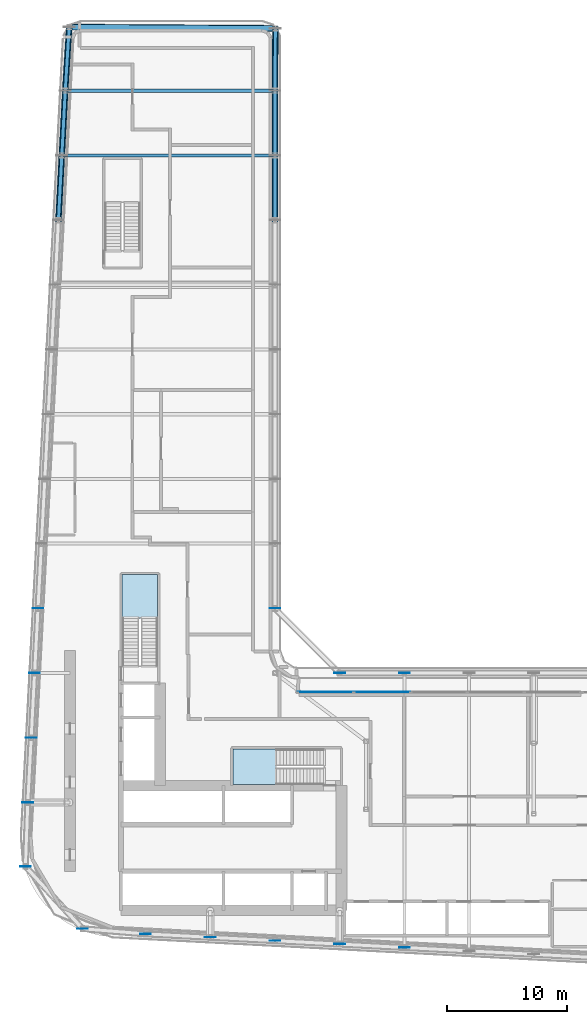
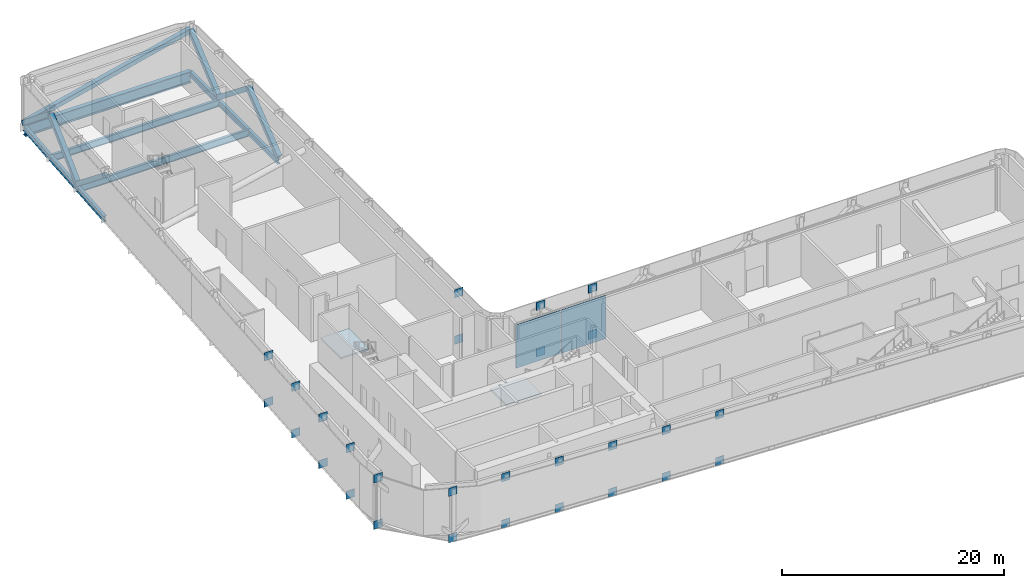
# One storey, part 11 of 30: 30 plates, 9 beams, 7 members, 2 slabs, 3 elements without a shape of their own.
"""IFC4 building model written with IfcOpenShell, lengths in metres."""

from ifc_helpers import new_model, si_unit, direction, frame, origin, origin_2d, place, context, subcontext, project, spatial, polyline, rectangle, hollow_rectangle, i_section, outline, extrude, material, layer, layer_set, material_profile, profile_set, type_object, element, aggregate, save


model = new_model("IFC4")

# Units and contexts
model_context = context("Model", 3, precision=1e-05, world=origin(), true_north=direction((0.0, 1.0)))
body_context = subcontext(model_context, "Body", "Model", "MODEL_VIEW")
ifc_project = project(units=[si_unit("LENGTHUNIT", "METRE"), si_unit("AREAUNIT", "SQUARE_METRE"), si_unit("VOLUMEUNIT", "CUBIC_METRE"), si_unit("PLANEANGLEUNIT", "RADIAN"), si_unit("MASSUNIT", "GRAM", prefix="KILO")], contexts=[model_context])

# Site, building, storey
site_placement = place(None, origin())
site = spatial("IfcSite", under=ifc_project, at=site_placement, CompositionType="ELEMENT")
building_placement = place(site_placement, origin())
building = spatial("IfcBuilding", under=site, at=building_placement, Name="Kheshtan School and Residences Tower", CompositionType="ELEMENT")
storey_placement = place(building_placement, frame((0.0, 0.0, 89.0)))
storey = spatial("IfcBuildingStorey", under=building, at=storey_placement, Name="L20", CompositionType="ELEMENT", Elevation=89.0)

# Beams
ifc_material_1 = material(Name="Steel ASTM A992 Grade 50", Category="steel")
ifc_material_profile_1 = material_profile(ifc_material_1, i_section(OverallWidth=0.264892578125, OverallDepth=0.7529296875, WebThickness=0.01318359375, FlangeThickness=0.01708984375, FilletRadius=0.015380859375, at=origin_2d()), Name="W760x147")
ifc_profile_set_1 = profile_set([ifc_material_profile_1], Name="Steel ASTM A992 Grade 50")
beam_type_1 = type_object("IfcBeamType", Name="Beam FB7 W760x147 ASTM A992 Grade 50", PredefinedType="BEAM", material=ifc_profile_set_1)
beam_1_placement = place(storey_placement, frame((47.60009765625, 94.199951171875, -0.526611328125), z_axis=(-1.0, 0.0, 0.0), x_axis=(0.0, -1.0, 0.0)))
element("IfcBeam", 1, at=beam_1_placement, inside=storey, type_object=beam_type_1, Name="Floor beam C107", PredefinedType="BEAM", context=body_context, shape_type="SweptSolid", body=[
    extrude(i_section(OverallWidth=0.264892578125, OverallDepth=0.7529296875, WebThickness=0.01318359375, FlangeThickness=0.01708984375, FilletRadius=0.015380859375, at=origin_2d()), origin(), (0.0, 0.0, 1.0), 17.505126953125),
])
beam_2_placement = place(storey_placement, frame((29.81103515625, 88.800048828125, -0.526611328125), z_axis=(1.0, 0.0, 0.0), x_axis=(0.0, 1.0, 0.0)))
element("IfcBeam", 2, at=beam_2_placement, inside=storey, type_object=beam_type_1, Name="Floor beam C098", PredefinedType="BEAM", context=body_context, shape_type="SweptSolid", body=[
    extrude(i_section(OverallWidth=0.264892578125, OverallDepth=0.7529296875, WebThickness=0.01318359375, FlangeThickness=0.01708984375, FilletRadius=0.015380859375, at=origin_2d()), origin(), (0.0, 0.0, 1.0), 17.7890625),
])
ifc_material_profile_2 = material_profile(ifc_material_1, i_section(OverallWidth=0.324951171875, OverallDepth=0.615966796875, WebThickness=0.013916015625, FlangeThickness=0.021484375, FilletRadius=0.0185546875, at=origin_2d()), Name="W610x174")
ifc_profile_set_2 = profile_set([ifc_material_profile_2], Name="Steel ASTM A992 Grade 50")
beam_type_2 = type_object("IfcBeamType", Name="Beam SP5 W610x174 ASTM A992 Grade 50", PredefinedType="BEAM", material=ifc_profile_set_2)
beam_3_placement = place(storey_placement, frame((47.6298828125, 99.402099609375, -0.4580078125), z_axis=(-0.005725455245, -0.999983609447, 0.0), x_axis=(0.999983609447, -0.005725455245, 0.0)))
element("IfcBeam", 3, at=beam_3_placement, inside=storey, type_object=beam_type_2, Name="Spandrel beam C113-C107", PredefinedType="BEAM", context=body_context, shape_type="SweptSolid", body=[
    extrude(i_section(OverallWidth=0.324951171875, OverallDepth=0.615966796875, WebThickness=0.013916015625, FlangeThickness=0.021484375, FilletRadius=0.0185546875, at=origin_2d()), origin(), (0.0, 0.0, 1.0), 5.2021484375),
])
beam_4_placement = place(storey_placement, frame((47.60009765625, 94.199951171875, -0.4580078125), z_axis=(0.0, -1.0, 0.0), x_axis=(1.0, 0.0, 0.0)))
element("IfcBeam", 4, at=beam_4_placement, inside=storey, type_object=beam_type_2, Name="Spandrel beam C107-C099", PredefinedType="BEAM", context=body_context, shape_type="SweptSolid", body=[
    extrude(i_section(OverallWidth=0.324951171875, OverallDepth=0.615966796875, WebThickness=0.013916015625, FlangeThickness=0.021484375, FilletRadius=0.0185546875, at=origin_2d()), origin(), (0.0, 0.0, 1.0), 5.39990234375),
])
beam_5_placement = place(storey_placement, frame((47.60009765625, 88.800048828125, -0.4580078125), z_axis=(0.0, -1.0, 0.0), x_axis=(1.0, 0.0, 0.0)))
element("IfcBeam", 5, at=beam_5_placement, inside=storey, type_object=beam_type_2, Name="Spandrel beam C099-C091", PredefinedType="BEAM", context=body_context, shape_type="SweptSolid", body=[
    extrude(i_section(OverallWidth=0.324951171875, OverallDepth=0.615966796875, WebThickness=0.013916015625, FlangeThickness=0.021484375, FilletRadius=0.0185546875, at=origin_2d()), origin(), (0.0, 0.0, 1.0), 5.400146484375),
])
beam_6_placement = place(storey_placement, frame((29.527099609375, 83.39990234375, -0.4580078125), z_axis=(0.05250670125, 0.998620571751, 0.0), x_axis=(-0.998620571751, 0.05250670125, 0.0)))
element("IfcBeam", 6, at=beam_6_placement, inside=storey, type_object=beam_type_2, Name="Spandrel beam C090-C098", PredefinedType="BEAM", context=body_context, shape_type="SweptSolid", body=[
    extrude(i_section(OverallWidth=0.324951171875, OverallDepth=0.615966796875, WebThickness=0.013916015625, FlangeThickness=0.021484375, FilletRadius=0.0185546875, at=origin_2d()), origin(), (0.0, 0.0, 1.0), 5.40771484375),
])
beam_7_placement = place(storey_placement, frame((29.81103515625, 88.800048828125, -0.4580078125), z_axis=(0.05250906864, 0.998620447272, 0.0), x_axis=(-0.998620447272, 0.05250906864, 0.0)))
element("IfcBeam", 7, at=beam_7_placement, inside=storey, type_object=beam_type_2, Name="Spandrel beam C098-C106", PredefinedType="BEAM", context=body_context, shape_type="SweptSolid", body=[
    extrude(i_section(OverallWidth=0.324951171875, OverallDepth=0.615966796875, WebThickness=0.013916015625, FlangeThickness=0.021484375, FilletRadius=0.0185546875, at=origin_2d()), origin(), (0.0, 0.0, 1.0), 5.407470703125),
])
beam_8_placement = place(storey_placement, frame((30.094970703125, 94.199951171875, -0.4580078125), z_axis=(0.061858321816, 0.998084940284, 0.0), x_axis=(-0.998084940284, 0.061858321816, 0.0)))
element("IfcBeam", 8, at=beam_8_placement, inside=storey, type_object=beam_type_2, Name="Spandrel beam C106-C121", PredefinedType="BEAM", context=body_context, shape_type="SweptSolid", body=[
    extrude(i_section(OverallWidth=0.324951171875, OverallDepth=0.615966796875, WebThickness=0.013916015625, FlangeThickness=0.021484375, FilletRadius=0.0185546875, at=origin_2d()), origin(), (0.0, 0.0, 1.0), 5.3203125),
])

# Members
ifc_material_2 = material(Name="Steel ASTM A500 Grade C", Category="steel")
ifc_material_profile_3 = material_profile(ifc_material_2, hollow_rectangle(XDim=0.508056640625, YDim=0.508056640625, WallThickness=0.01904296875, InnerFilletRadius=0.01904296875, OuterFilletRadius=0.0380859375, at=origin_2d()), Name="HSS 508x508x19")
ifc_profile_set_3 = profile_set([ifc_material_profile_3], Name="Steel ASTM A500 Grade C")
member_type = type_object("IfcMemberType", Name="Member BT2 HSS 508x508x19 ASTM A500 Grade C", PredefinedType="BRACE", material=ifc_profile_set_3)
member_1_placement = place(storey_placement, frame((30.424072265625, 99.510009765625, 0.050048828125), z_axis=(0.970185244274, -0.006084737538, 0.242288191546), x_axis=(0.006271604219, 0.999980333297, 0.0)))
element("IfcMember", 9, at=member_1_placement, inside=storey, type_object=member_type, Name="Belt truss diagonal C121-C113", PredefinedType="BRACE", context=body_context, shape_type="SweptSolid", body=[
    extrude(hollow_rectangle(XDim=0.508056640625, YDim=0.508056640625, WallThickness=0.01904296875, InnerFilletRadius=0.01904296875, OuterFilletRadius=0.0380859375, at=origin_2d()), origin(), (0.0, 0.0, 1.0), 17.734619140625),
])
member_2_placement = place(storey_placement, frame((47.60009765625, 94.199951171875, 0.050048828125), z_axis=(0.004414366319, 0.770994405896, 0.636826616472), x_axis=(-0.999983609447, 0.005725455245, 0.0)))
element("IfcMember", 10, at=member_2_placement, inside=storey, type_object=member_type, Name="Belt truss diagonal C113-C107", PredefinedType="BRACE", context=body_context, shape_type="SweptSolid", body=[
    extrude(hollow_rectangle(XDim=0.508056640625, YDim=0.508056640625, WallThickness=0.01904296875, InnerFilletRadius=0.01904296875, OuterFilletRadius=0.0380859375, at=origin_2d()), origin(), (0.0, 0.0, 1.0), 6.747314453125),
])
member_3_placement = place(storey_placement, frame((47.60009765625, 94.199951171875, 0.050048828125), z_axis=(0.0, -0.782495277586, 0.622656518922), x_axis=(1.0, 0.0, 0.0)))
element("IfcMember", 11, at=member_3_placement, inside=storey, type_object=member_type, Name="Belt truss diagonal C107-C099", PredefinedType="BRACE", context=body_context, shape_type="SweptSolid", body=[
    extrude(hollow_rectangle(XDim=0.508056640625, YDim=0.508056640625, WallThickness=0.01904296875, InnerFilletRadius=0.01904296875, OuterFilletRadius=0.0380859375, at=origin_2d()), origin(), (0.0, 0.0, 1.0), 6.90087890625),
])
member_4_placement = place(storey_placement, frame((47.60009765625, 83.39990234375, 0.050048828125), z_axis=(0.0, 0.782508993189, 0.622639282071), x_axis=(-1.0, 0.0, 0.0)))
element("IfcMember", 12, at=member_4_placement, inside=storey, type_object=member_type, Name="Belt truss diagonal C099-C091", PredefinedType="BRACE", context=body_context, shape_type="SweptSolid", body=[
    extrude(hollow_rectangle(XDim=0.508056640625, YDim=0.508056640625, WallThickness=0.01904296875, InnerFilletRadius=0.01904296875, OuterFilletRadius=0.0380859375, at=origin_2d()), origin(), (0.0, 0.0, 1.0), 6.901123046875),
])
member_5_placement = place(storey_placement, frame((29.81103515625, 88.800048828125, 0.050048828125), z_axis=(-0.041108940728, -0.781847515022, 0.622112946534), x_axis=(0.998620571751, -0.05250670125, 0.0)))
element("IfcMember", 13, at=member_5_placement, inside=storey, type_object=member_type, Name="Belt truss diagonal C090-C098", PredefinedType="BRACE", context=body_context, shape_type="SweptSolid", body=[
    extrude(hollow_rectangle(XDim=0.508056640625, YDim=0.508056640625, WallThickness=0.01904296875, InnerFilletRadius=0.01904296875, OuterFilletRadius=0.0380859375, at=origin_2d()), origin(), (0.0, 0.0, 1.0), 6.906982421875),
])
member_6_placement = place(storey_placement, frame((29.81103515625, 88.800048828125, 0.050048828125), z_axis=(0.041110076845, 0.781833774436, 0.622130139708), x_axis=(-0.998620447272, 0.05250906864, 0.0)))
element("IfcMember", 14, at=member_6_placement, inside=storey, type_object=member_type, Name="Belt truss diagonal C098-C106", PredefinedType="BRACE", context=body_context, shape_type="SweptSolid", body=[
    extrude(hollow_rectangle(XDim=0.508056640625, YDim=0.508056640625, WallThickness=0.01904296875, InnerFilletRadius=0.01904296875, OuterFilletRadius=0.0380859375, at=origin_2d()), origin(), (0.0, 0.0, 1.0), 6.90673828125),
])
member_7_placement = place(storey_placement, frame((30.424072265625, 99.510009765625, 0.050048828125), z_axis=(-0.048123231163, -0.776469048814, 0.628315184328), x_axis=(0.998084940284, -0.061858321816, 0.0)))
element("IfcMember", 15, at=member_7_placement, inside=storey, type_object=member_type, Name="Belt truss diagonal C106-C121", PredefinedType="BRACE", context=body_context, shape_type="SweptSolid", body=[
    extrude(hollow_rectangle(XDim=0.508056640625, YDim=0.508056640625, WallThickness=0.01904296875, InnerFilletRadius=0.01904296875, OuterFilletRadius=0.0380859375, at=origin_2d()), origin(), (0.0, 0.0, 1.0), 6.838623046875),
])

# Beam
ifc_material_profile_4 = material_profile(ifc_material_1, i_section(OverallWidth=0.449951171875, OverallDepth=1.25, WebThickness=0.02490234375, FlangeThickness=0.044921875, FilletRadius=0.03759765625, at=origin_2d()), Name="WWF1250x546")
ifc_profile_set_4 = profile_set([ifc_material_profile_4], Name="Steel ASTM A992 Grade 50")
beam_type_3 = type_object("IfcBeamType", Name="Transfer girder TG4 WWF1250x546 ASTM A992 Grade 50", PredefinedType="BEAM", material=ifc_profile_set_4)
beam_9_placement = place(storey_placement, frame((30.424072265625, 99.510009765625, -0.77490234375), z_axis=(0.999980333297, -0.006271604219, 0.0), x_axis=(0.006271604219, 0.999980333297, 0.0)))
element("IfcBeam", 16, at=beam_9_placement, inside=storey, type_object=beam_type_3, Name="Transfer girder C121-C113", PredefinedType="BEAM", context=body_context, shape_type="SweptSolid", body=[
    extrude(i_section(OverallWidth=0.449951171875, OverallDepth=1.25, WebThickness=0.02490234375, FlangeThickness=0.044921875, FilletRadius=0.03759765625, at=origin_2d()), origin(), (0.0, 0.0, 1.0), 17.2060546875),
])

# Curtain wall, plates
ifc_material_3 = material(Name="Clear low-e glass in thermally broken aluminium frame", Category="aluminium")
ifc_layer_1 = layer(ifc_material_3, 0.25)
ifc_layer_set_1 = layer_set([ifc_layer_1], Name="Curtain wall CW-G")
curtain_wall_type = type_object("IfcCurtainWallType", Name="Curtain wall CW-G", PredefinedType="NOTDEFINED", material=ifc_layer_set_1)
curtain_wall_placement = place(storey_placement, origin())
curtain_wall = element("IfcCurtainWall", 17, at=curtain_wall_placement, inside=storey, type_object=curtain_wall_type, Name="Curtain wall CWG5b", PredefinedType="NOTDEFINED")
ifc_material_4 = material(Name="Insulated terracotta infill panel", Category="masonry")
ifc_layer_2 = layer(ifc_material_4, 0.0380859375)
ifc_layer_set_2 = layer_set([ifc_layer_2], Name="CW-G insulated infill panel")
plate_type_1 = type_object("IfcPlateType", Name="CW-G insulated infill panel", PredefinedType="CURTAIN_PANEL", material=ifc_layer_set_2)
plate_1_placement = place(storey_placement, frame((51.81494140625, 44.0, 0.0), z_axis=(0.0, 0.0, 1.0), x_axis=(1.0, 0.0, 0.0)))
plate_1 = element("IfcPlate", 18, at=plate_1_placement, type_object=plate_type_1, Name="CWG5b infill 1.1", PredefinedType="CURTAIN_PANEL", context=body_context, shape_type="SweptSolid", body=[
    extrude(rectangle(XDim=4.64990234375, YDim=0.0380859375, at=origin_2d()), origin(), (0.0, 0.0, 1.0), 4.7900390625),
])
plate_2_placement = place(storey_placement, frame((56.5400390625, 44.0, 0.0), z_axis=(0.0, 0.0, 1.0), x_axis=(1.0, 0.0, 0.0)))
plate_2 = element("IfcPlate", 19, at=plate_2_placement, type_object=plate_type_1, Name="CWG5b infill 2.1", PredefinedType="CURTAIN_PANEL", context=body_context, shape_type="SweptSolid", body=[
    extrude(rectangle(XDim=4.679931640625, YDim=0.0380859375, at=origin_2d()), origin(), (0.0, 0.0, 1.0), 4.7900390625),
])
aggregate(curtain_wall, [plate_1, plate_2])

# Plates
ifc_layer_3 = layer(ifc_material_1, 0.02490234375)
ifc_layer_set_3 = layer_set([ifc_layer_3], Name="Gusset plate 25 Steel ASTM A992 Grade 50")
plate_type_2 = type_object("IfcPlateType", Name="Gusset plate 25 Steel ASTM A992 Grade 50", PredefinedType="SHEET", material=ifc_layer_set_3)
for number, where, z_axis, x_axis, name in (
    (20, (47.60009765625, 51.0, 4.300048828125), (0.0, 0.0, 1.0), (1.0, 0.0, 0.0), "Gusset plate 20"),
    (21, (47.60009765625, 51.0, -0.800048828125), (0.0, 0.0, 1.0), (1.0, 0.0, 0.0), "Gusset plate 21"),
    (22, (53.0, 45.60009765625, 4.300048828125), (0.0, 0.0, 1.0), (1.0, 0.0, 0.0), "Gusset plate 22"),
    (23, (53.0, 45.60009765625, -0.800048828125), (0.0, 0.0, 1.0), (1.0, 0.0, 0.0), "Gusset plate 23"),
    (24, (58.39990234375, 45.60009765625, 4.300048828125), (0.0, 0.0, 1.0), (1.0, 0.0, 0.0), "Gusset plate 24"),
    (25, (58.39990234375, 45.60009765625, -0.800048828125), (0.0, 0.0, 1.0), (1.0, 0.0, 0.0), "Gusset plate 25"),
    (26, (58.39990234375, 22.695068359375, 4.300048828125), (0.0, 0.0, 1.0), (1.0, 0.0, 0.0), "Gusset plate 50"),
    (27, (58.39990234375, 22.695068359375, -0.800048828125), (0.0, 0.0, 1.0), (1.0, 0.0, 0.0), "Gusset plate 51"),
    (28, (53.0, 22.97998046875, 4.300048828125), (0.0, 0.0, 1.0), (1.0, 0.0, 0.0), "Gusset plate 52"),
    (29, (53.0, 22.97998046875, -0.800048828125), (0.0, 0.0, 1.0), (1.0, 0.0, 0.0), "Gusset plate 53"),
    (30, (47.60009765625, 23.263916015625, 4.300048828125), (0.0, 0.0, 1.0), (1.0, 0.0, 0.0), "Gusset plate 54"),
    (31, (47.60009765625, 23.263916015625, -0.800048828125), (0.0, 0.0, 1.0), (1.0, 0.0, 0.0), "Gusset plate 55"),
    (32, (42.199951171875, 23.548095703125, 4.300048828125), (0.0, 0.0, 1.0), (1.0, 0.0, 0.0), "Gusset plate 56"),
    (33, (42.199951171875, 23.548095703125, -0.800048828125), (0.0, 0.0, 1.0), (1.0, 0.0, 0.0), "Gusset plate 57"),
    (34, (36.800048828125, 23.83203125, 4.300048828125), (0.0, 0.0, 1.0), (1.0, 0.0, 0.0), "Gusset plate 58"),
    (35, (36.800048828125, 23.83203125, -0.800048828125), (0.0, 0.0, 1.0), (1.0, 0.0, 0.0), "Gusset plate 59"),
    (36, (31.5419921875, 24.257080078125, 4.300048828125), (0.0, 0.0, 1.0), (1.0, 0.0, 0.0), "Gusset plate 60"),
    (37, (31.5419921875, 24.257080078125, -0.800048828125), (0.0, 0.0, 1.0), (1.0, 0.0, 0.0), "Gusset plate 61"),
    (38, (26.76904296875, 29.4541015625, 4.300048828125), (0.0, 0.0, 1.0), (1.0, 0.0, 0.0), "Gusset plate 62"),
    (39, (26.76904296875, 29.4541015625, -0.800048828125), (0.0, 0.0, 1.0), (1.0, 0.0, 0.0), "Gusset plate 63"),
    (40, (26.968994140625, 34.800048828125, 4.300048828125), (0.0, 0.0, 1.0), (1.0, 0.0, 0.0), "Gusset plate 64"),
    (41, (26.968994140625, 34.800048828125, -0.800048828125), (0.0, 0.0, 1.0), (1.0, 0.0, 0.0), "Gusset plate 65"),
    (42, (27.2529296875, 40.199951171875, 4.300048828125), (0.0, 0.0, 1.0), (1.0, 0.0, 0.0), "Gusset plate 66"),
    (43, (27.2529296875, 40.199951171875, -0.800048828125), (0.0, 0.0, 1.0), (1.0, 0.0, 0.0), "Gusset plate 67"),
    (44, (27.537109375, 45.60009765625, 4.300048828125), (0.0, 0.0, 1.0), (1.0, 0.0, 0.0), "Gusset plate 68"),
    (45, (27.537109375, 45.60009765625, -0.800048828125), (0.0, 0.0, 1.0), (1.0, 0.0, 0.0), "Gusset plate 69"),
    (46, (27.822021484375, 51.0, 4.300048828125), (0.0, 0.0, 1.0), (1.0, 0.0, 0.0), "Gusset plate 70"),
    (47, (27.822021484375, 51.0, -0.800048828125), (0.0, 0.0, 1.0), (1.0, 0.0, 0.0), "Gusset plate 71"),
):
    element("IfcPlate", number, at=place(storey_placement, frame(where, z_axis=z_axis, x_axis=x_axis)), inside=storey, type_object=plate_type_2, Name=name, PredefinedType="SHEET", context=body_context, shape_type="SweptSolid", body=[
        extrude(rectangle(XDim=0.89990234375, YDim=0.02490234375, at=origin_2d()), origin(), (0.0, 0.0, 1.0), 0.89990234375),
    ])

# Stair, slab
ifc_material_5 = material(Name="Concrete C40/50", Category="concrete")
stair_type = type_object("IfcStairType", Name="Exit stair, half-turn", PredefinedType="HALF_TURN_STAIR", material=ifc_material_5)
stair_1_placement = place(storey_placement, origin())
stair_1 = element("IfcStair", 48, at=stair_1_placement, inside=storey, type_object=stair_type, Name="L20 Protected Exit Stair ST1", PredefinedType="HALF_TURN_STAIR")
ifc_layer_4 = layer(ifc_material_5, 0.199951171875)
ifc_layer_set_4 = layer_set([ifc_layer_4], Name="Stair landing 200 Concrete C40/50")
slab_type = type_object("IfcSlabType", Name="Stair landing 200 Concrete C40/50", PredefinedType="LANDING", material=ifc_layer_set_4)
slab_1_placement = place(storey_placement, frame((0.0, 0.0, 2.35009765625)))
slab_1 = element("IfcSlab", 49, at=slab_1_placement, type_object=slab_type, Name="ST1 landing 1", PredefinedType="LANDING", context=body_context, shape_type="SweptSolid", body=[
    extrude(outline(polyline([(47.72998046875, 39.25), (44.090087890625, 39.25), (44.090087890625, 36.300048828125), (47.72998046875, 36.300048828125), (47.72998046875, 39.25)])), origin(), (0.0, 0.0, 1.0), 0.199951171875),
])
aggregate(stair_1, [slab_1])

stair_2_placement = place(storey_placement, origin())
stair_2 = element("IfcStair", 50, at=stair_2_placement, inside=storey, type_object=stair_type, Name="L20 Protected Exit Stair ST2", PredefinedType="HALF_TURN_STAIR")
slab_2_placement = place(storey_placement, frame((0.0, 0.0, 2.35009765625)))
slab_2 = element("IfcSlab", 51, at=slab_2_placement, type_object=slab_type, Name="ST2 landing 1", PredefinedType="LANDING", context=body_context, shape_type="SweptSolid", body=[
    extrude(outline(polyline([(37.800048828125, 50.169921875), (37.800048828125, 53.81005859375), (34.85009765625, 53.81005859375), (34.85009765625, 50.169921875), (37.800048828125, 50.169921875)])), origin(), (0.0, 0.0, 1.0), 0.199951171875),
])
aggregate(stair_2, [slab_2])

save(model, "model.ifc")
